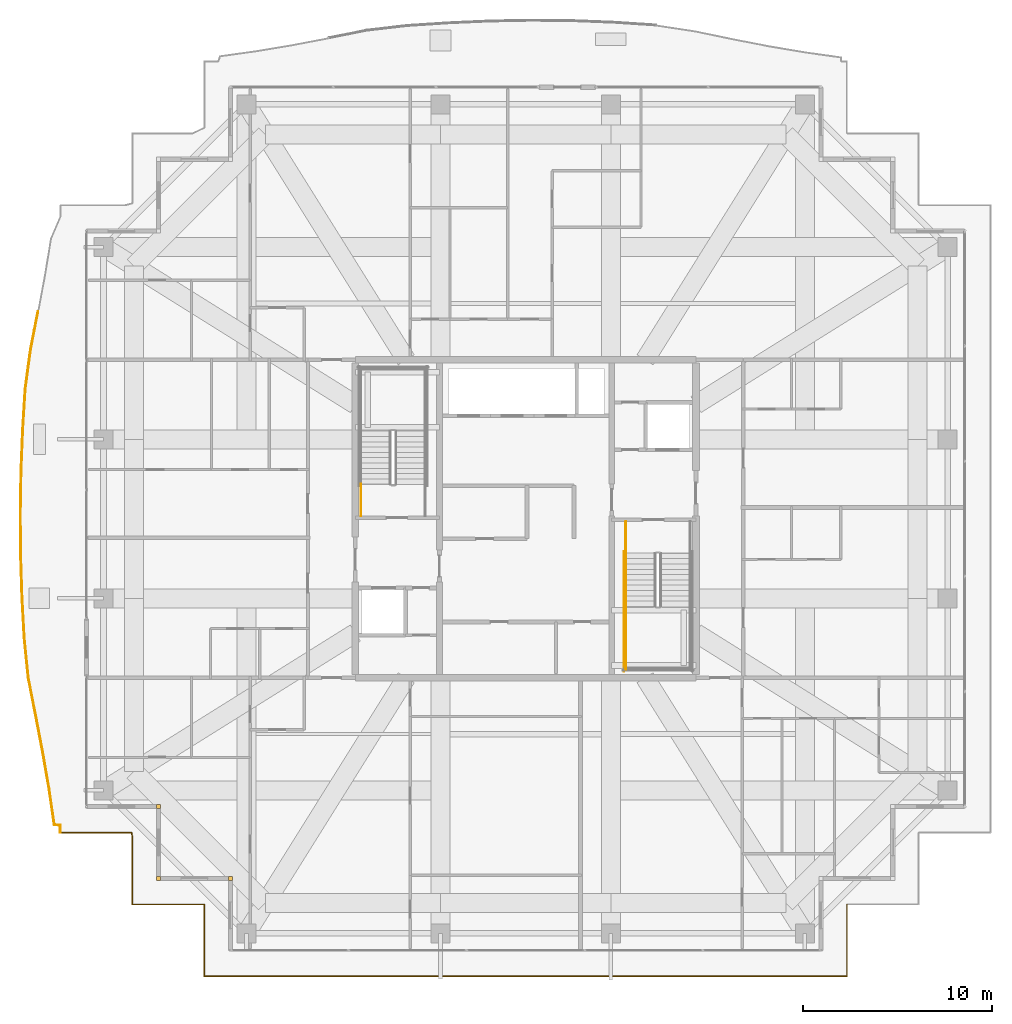
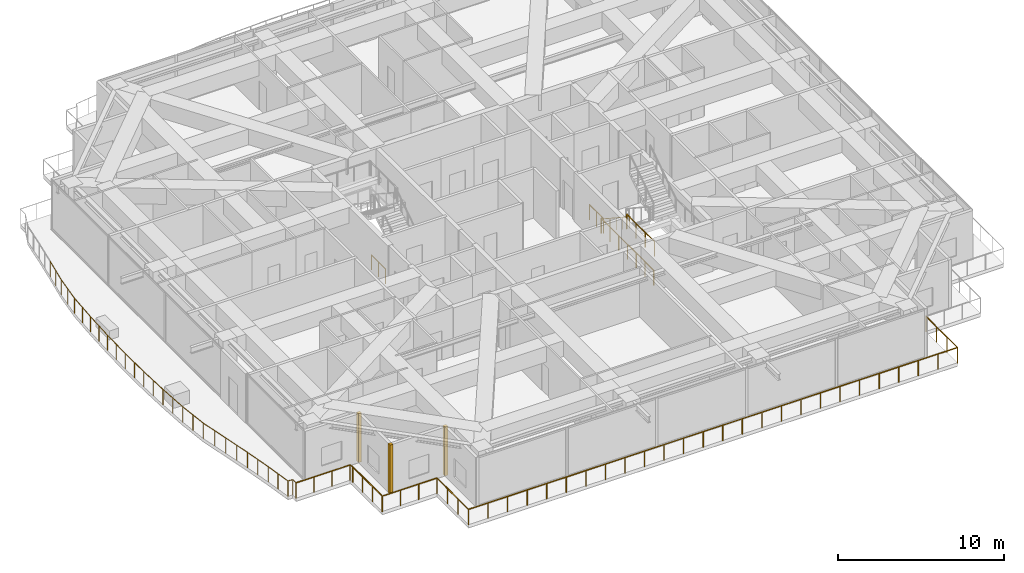
# One storey, part 36 of 40: 8 railings, 3 coverings.
"""IFC4 building model written with IfcOpenShell, lengths in metres."""

from ifc_helpers import new_model, si_unit, direction, frame, origin, origin_2d, place, context, subcontext, project, spatial, rectangle, circle, extrude, source, transform, mapped, material, layer, layer_set, type_object, element, save


model = new_model("IFC4")

# Units and contexts
model_context = context("Model", 3, precision=1e-05, world=origin(), true_north=direction((0.0, 1.0)))
body_context = subcontext(model_context, "Body", "Model", "MODEL_VIEW")
ifc_project = project(units=[si_unit("LENGTHUNIT", "METRE"), si_unit("AREAUNIT", "SQUARE_METRE"), si_unit("VOLUMEUNIT", "CUBIC_METRE"), si_unit("PLANEANGLEUNIT", "RADIAN"), si_unit("MASSUNIT", "GRAM", prefix="KILO")], contexts=[model_context])

# Site, building, storey
site_placement = place(None, origin())
site = spatial("IfcSite", under=ifc_project, at=site_placement, CompositionType="ELEMENT")
building_placement = place(site_placement, origin())
building = spatial("IfcBuilding", under=site, at=building_placement, Name="Serunith Strait Residences", CompositionType="ELEMENT")
storey_placement = place(building_placement, frame((0.0, 0.0, 333.949951171875)))
storey = spatial("IfcBuildingStorey", under=building, at=storey_placement, Name="L83", CompositionType="ELEMENT", Elevation=333.949951171875)

# Railings
ifc_material_1 = material(Name="Stainless Steel & Laminated Glass Balustrade", Category="steel")
railing_type_1 = type_object("IfcRailingType", Name="RLG-BALC-1150", PredefinedType="BALUSTRADE", material=ifc_material_1)
railing_1_placement = place(storey_placement, frame((7.820068359375, 8.6201171875, -0.050048828125)))
element("IfcRailing", 1, at=railing_1_placement, inside=storey, type_object=railing_type_1, Name="L83 Swirling Balcony Perimeter Balustrade 1", PredefinedType="BALUSTRADE", context=body_context, shape_type="SweptSolid", body=[
    extrude(circle(Radius=0.02392578125, at=origin_2d()), frame((0.0, 0.001953125, 1.1259765625), z_axis=(0.0, 1.0, 0.0), x_axis=(-1.0, 0.0, 0.0)), (0.0, 0.0, 1.0), 0.386962890625),
    extrude(circle(Radius=0.02392578125, at=origin_2d()), frame((-0.001953125, 0.390869140625, 1.1259765625), z_axis=(-0.998221258223, 0.059618114963, 0.0), x_axis=(-0.059618114963, -0.998221258223, 0.0)), (0.0, 0.0, 1.0), 0.3154296875),
    extrude(circle(Radius=0.02392578125, at=origin_2d()), frame((-0.319091796875, 0.411865234375, 1.1259765625), z_axis=(-0.144322456602, 0.989530711257, 0.0), x_axis=(-0.989530711257, -0.144322456602, 0.0)), (0.0, 0.0, 1.0), 1.916015625),
    extrude(circle(Radius=0.02392578125, at=origin_2d()), frame((-0.59619140625, 2.311767578125, 1.1259765625), z_axis=(-0.169802003916, 0.985478198372, 0.0), x_axis=(-0.985478198372, -0.169802003916, 0.0)), (0.0, 0.0, 1.0), 1.944091796875),
    extrude(circle(Radius=0.02392578125, at=origin_2d()), frame((-0.92724609375, 4.231689453125, 1.1259765625), z_axis=(-0.187979213047, 0.98217300689, 0.0), x_axis=(-0.98217300689, -0.187979213047, 0.0)), (0.0, 0.0, 1.0), 1.98828125),
    extrude(circle(Radius=0.02392578125, at=origin_2d()), frame((-1.3017578125, 6.1884765625, 1.1259765625), z_axis=(-0.192382990463, 0.981319919792, 0.0), x_axis=(-0.981319919792, -0.192382990463, 0.0)), (0.0, 0.0, 1.0), 2.046875),
    extrude(circle(Radius=0.02392578125, at=origin_2d()), frame((-1.696044921875, 8.200927734375, 1.1259765625), z_axis=(-0.09990071868, 0.994997410251, 0.0), x_axis=(-0.994997410251, -0.09990071868, 0.0)), (0.0, 0.0, 1.0), 2.126953125),
    extrude(circle(Radius=0.02392578125, at=origin_2d()), frame((-1.90869140625, 10.3212890625, 1.1259765625), z_axis=(-0.054032775026, 0.998539162589, 0.0), x_axis=(-0.998539162589, -0.054032775026, 0.0)), (0.0, 0.0, 1.0), 2.16943359375),
    extrude(circle(Radius=0.02099609375, at=origin_2d()), origin(), (0.0, 0.0, 1.0), 1.099853515625),
    extrude(circle(Radius=0.02099609375, at=origin_2d()), frame((0.0, 0.390869140625, 0.0)), (0.0, 0.0, 1.0), 1.099853515625),
    extrude(circle(Radius=0.02099609375, at=origin_2d()), frame((-0.31884765625, 0.409912109375, 0.0)), (0.0, 0.0, 1.0), 1.099853515625),
    extrude(circle(Radius=0.02099609375, at=origin_2d()), frame((-0.45751953125, 1.35986328125, 0.0)), (0.0, 0.0, 1.0), 1.099853515625),
    extrude(circle(Radius=0.02099609375, at=origin_2d()), frame((-0.595947265625, 2.309814453125, 0.0)), (0.0, 0.0, 1.0), 1.099853515625),
    extrude(circle(Radius=0.02099609375, at=origin_2d()), frame((-0.76123046875, 3.269775390625, 0.0)), (0.0, 0.0, 1.0), 1.099853515625),
    extrude(circle(Radius=0.02099609375, at=origin_2d()), frame((-0.9267578125, 4.229736328125, 0.0)), (0.0, 0.0, 1.0), 1.099853515625),
    extrude(circle(Radius=0.02099609375, at=origin_2d()), frame((-1.114013671875, 5.2080078125, 0.0)), (0.0, 0.0, 1.0), 1.099853515625),
    extrude(circle(Radius=0.02099609375, at=origin_2d()), frame((-1.30126953125, 6.1865234375, 0.0)), (0.0, 0.0, 1.0), 1.099853515625),
    extrude(circle(Radius=0.02099609375, at=origin_2d()), frame((-1.49853515625, 7.19287109375, 0.0)), (0.0, 0.0, 1.0), 1.099853515625),
    extrude(circle(Radius=0.02099609375, at=origin_2d()), frame((-1.69580078125, 8.198974609375, 0.0)), (0.0, 0.0, 1.0), 1.099853515625),
    extrude(circle(Radius=0.02099609375, at=origin_2d()), frame((-1.80224609375, 9.25927734375, 0.0)), (0.0, 0.0, 1.0), 1.099853515625),
    extrude(circle(Radius=0.02099609375, at=origin_2d()), frame((-1.90869140625, 10.3193359375, 0.0)), (0.0, 0.0, 1.0), 1.099853515625),
    extrude(circle(Radius=0.02099609375, at=origin_2d()), frame((-1.96728515625, 11.404296875, 0.0)), (0.0, 0.0, 1.0), 1.099853515625),
    extrude(circle(Radius=0.02099609375, at=origin_2d()), frame((-2.026123046875, 12.489501953125, 0.0)), (0.0, 0.0, 1.0), 1.099853515625),
])
railing_2_placement = place(storey_placement, frame((5.7939453125, 21.109619140625, -0.050048828125)))
element("IfcRailing", 2, at=railing_2_placement, inside=storey, type_object=railing_type_1, Name="L83 Swirling Balcony Perimeter Balustrade 2", PredefinedType="BALUSTRADE", context=body_context, shape_type="SweptSolid", body=[
    extrude(circle(Radius=0.02392578125, at=origin_2d()), frame((0.0, 0.001953125, 1.1259765625), z_axis=(-0.031488329717, 0.999504119597, 0.0), x_axis=(-0.999504119597, -0.031488329717, 0.0)), (0.0, 0.0, 1.0), 2.190185546875),
    extrude(circle(Radius=0.02392578125, at=origin_2d()), frame((-0.069091796875, 2.195068359375, 1.1259765625), z_axis=(-0.007421151419, 0.999972462877, 0.0), x_axis=(-0.999972462877, -0.007421151419, 0.0)), (0.0, 0.0, 1.0), 2.2001953125),
    extrude(circle(Radius=0.02392578125, at=origin_2d()), frame((-0.08544921875, 4.399169921875, 1.1259765625), z_axis=(0.016631099363, 0.999861693703, 0.0), x_axis=(-0.999861693703, 0.016631099363, 0.0)), (0.0, 0.0, 1.0), 2.197998046875),
    extrude(circle(Radius=0.02392578125, at=origin_2d()), frame((-0.048828125, 6.600830078125, 1.1259765625), z_axis=(0.03971409467, 0.999211084148, 0.0), x_axis=(-0.999211084148, 0.03971409467, 0.0)), (0.0, 0.0, 1.0), 2.1845703125),
    extrude(circle(Radius=0.02392578125, at=origin_2d()), frame((0.0380859375, 8.78759765625, 1.1259765625), z_axis=(0.060672112725, 0.998157750427, 0.0), x_axis=(-0.998157750427, 0.060672112725, 0.0)), (0.0, 0.0, 1.0), 2.160888671875),
    extrude(circle(Radius=0.02392578125, at=origin_2d()), frame((0.169677734375, 10.948486328125, 1.1259765625), z_axis=(0.133742555273, 0.991016109309, 0.0), x_axis=(-0.991016109309, 0.133742555273, 0.0)), (0.0, 0.0, 1.0), 2.1025390625),
    extrude(circle(Radius=0.02392578125, at=origin_2d()), frame((0.45166015625, 13.0361328125, 1.1259765625), z_axis=(0.191541396562, 0.981484535488, 0.0), x_axis=(-0.981484535488, 0.191541396562, 0.0)), (0.0, 0.0, 1.0), 2.029052734375),
    extrude(circle(Radius=0.02099609375, at=origin_2d()), origin(), (0.0, 0.0, 1.0), 1.099853515625),
    extrude(circle(Radius=0.02099609375, at=origin_2d()), frame((-0.03466796875, 1.0966796875, 0.0)), (0.0, 0.0, 1.0), 1.099853515625),
    extrude(circle(Radius=0.02099609375, at=origin_2d()), frame((-0.069091796875, 2.193115234375, 0.0)), (0.0, 0.0, 1.0), 1.099853515625),
    extrude(circle(Radius=0.02099609375, at=origin_2d()), frame((-0.0771484375, 3.295166015625, 0.0)), (0.0, 0.0, 1.0), 1.099853515625),
    extrude(circle(Radius=0.02099609375, at=origin_2d()), frame((-0.08544921875, 4.397216796875, 0.0)), (0.0, 0.0, 1.0), 1.099853515625),
    extrude(circle(Radius=0.02099609375, at=origin_2d()), frame((-0.067138671875, 5.498046875, 0.0)), (0.0, 0.0, 1.0), 1.099853515625),
    extrude(circle(Radius=0.02099609375, at=origin_2d()), frame((-0.048828125, 6.598876953125, 0.0)), (0.0, 0.0, 1.0), 1.099853515625),
    extrude(circle(Radius=0.02099609375, at=origin_2d()), frame((-0.00537109375, 7.6923828125, 0.0)), (0.0, 0.0, 1.0), 1.099853515625),
    extrude(circle(Radius=0.02099609375, at=origin_2d()), frame((0.0380859375, 8.78564453125, 0.0)), (0.0, 0.0, 1.0), 1.099853515625),
    extrude(circle(Radius=0.02099609375, at=origin_2d()), frame((0.103759765625, 9.8662109375, 0.0)), (0.0, 0.0, 1.0), 1.099853515625),
    extrude(circle(Radius=0.02099609375, at=origin_2d()), frame((0.16943359375, 10.946533203125, 0.0)), (0.0, 0.0, 1.0), 1.099853515625),
    extrude(circle(Radius=0.02099609375, at=origin_2d()), frame((0.310302734375, 11.990234375, 0.0)), (0.0, 0.0, 1.0), 1.099853515625),
    extrude(circle(Radius=0.02099609375, at=origin_2d()), frame((0.451171875, 13.0341796875, 0.0)), (0.0, 0.0, 1.0), 1.099853515625),
    extrude(circle(Radius=0.02099609375, at=origin_2d()), frame((0.64599609375, 14.03173828125, 0.0)), (0.0, 0.0, 1.0), 1.099853515625),
    extrude(circle(Radius=0.02099609375, at=origin_2d()), frame((0.840576171875, 15.029541015625, 0.0)), (0.0, 0.0, 1.0), 1.099853515625),
])
railing_3_placement = place(storey_placement, frame((49.392578125, 4.820068359375, -0.050048828125)))
element("IfcRailing", 3, at=railing_3_placement, inside=storey, type_object=railing_type_1, Name="L83 Swirling Balcony Perimeter Balustrade 8", PredefinedType="BALUSTRADE", context=body_context, shape_type="SweptSolid", body=[
    extrude(circle(Radius=0.02392578125, at=origin_2d()), frame((-0.0126953125, -0.0068359375, 1.1259765625), z_axis=(0.0, -1.0, 0.0), x_axis=(1.0, 0.0, 0.0)), (0.0, 0.0, 1.0), 3.791259765625),
    extrude(circle(Radius=0.02392578125, at=origin_2d()), frame((-0.0146484375, -3.800048828125, 1.1259765625), z_axis=(-1.0, 0.0, 0.0), x_axis=(0.0, -1.0, 0.0)), (0.0, 0.0, 1.0), 33.9560546875),
    extrude(circle(Radius=0.02392578125, at=origin_2d()), frame((-33.97265625, -3.798095703125, 1.1259765625), z_axis=(0.0, 1.0, 0.0), x_axis=(-1.0, 0.0, 0.0)), (0.0, 0.0, 1.0), 3.796142578125),
    extrude(circle(Radius=0.02392578125, at=origin_2d()), frame((-33.974609375, 0.0, 1.1259765625), z_axis=(-1.0, 0.0, 0.0), x_axis=(0.0, -1.0, 0.0)), (0.0, 0.0, 1.0), 3.7958984375),
    extrude(circle(Radius=0.02392578125, at=origin_2d()), frame((-37.7724609375, 0.001953125, 1.1259765625), z_axis=(0.0, 1.0, 0.0), x_axis=(-1.0, 0.0, 0.0)), (0.0, 0.0, 1.0), 3.5419921875),
    extrude(circle(Radius=0.02392578125, at=origin_2d()), frame((-37.772705078125, 3.5478515625, 1.1259765625), z_axis=(-0.152841841148, 0.988250662329, 0.0), x_axis=(-0.988250662329, -0.152841841148, 0.0)), (0.0, 0.0, 1.0), 0.253173828125),
    extrude(circle(Radius=0.02392578125, at=origin_2d()), frame((-37.813720703125, 3.800048828125, 1.1259765625), z_axis=(-1.0, 0.0, 0.0), x_axis=(0.0, -1.0, 0.0)), (0.0, 0.0, 1.0), 3.7568359375),
    extrude(circle(Radius=0.02099609375, at=origin_2d()), frame((-0.0126953125, -0.0048828125, 0.0)), (0.0, 0.0, 1.0), 1.099853515625),
    extrude(circle(Radius=0.02099609375, at=origin_2d()), frame((-0.0126953125, -1.27001953125, 0.0)), (0.0, 0.0, 1.0), 1.099853515625),
    extrude(circle(Radius=0.02099609375, at=origin_2d()), frame((-0.0126953125, -2.534912109375, 0.0)), (0.0, 0.0, 1.0), 1.099853515625),
    extrude(circle(Radius=0.02099609375, at=origin_2d()), frame((-0.0126953125, -3.800048828125, 0.0)), (0.0, 0.0, 1.0), 1.099853515625),
    extrude(circle(Radius=0.02099609375, at=origin_2d()), frame((-1.37109375, -3.800048828125, 0.0)), (0.0, 0.0, 1.0), 1.099853515625),
    extrude(circle(Radius=0.02099609375, at=origin_2d()), frame((-2.7294921875, -3.800048828125, 0.0)), (0.0, 0.0, 1.0), 1.099853515625),
    extrude(circle(Radius=0.02099609375, at=origin_2d()), frame((-4.087890625, -3.800048828125, 0.0)), (0.0, 0.0, 1.0), 1.099853515625),
    extrude(circle(Radius=0.02099609375, at=origin_2d()), frame((-5.4462890625, -3.800048828125, 0.0)), (0.0, 0.0, 1.0), 1.099853515625),
    extrude(circle(Radius=0.02099609375, at=origin_2d()), frame((-6.8046875, -3.800048828125, 0.0)), (0.0, 0.0, 1.0), 1.099853515625),
    extrude(circle(Radius=0.02099609375, at=origin_2d()), frame((-8.1630859375, -3.800048828125, 0.0)), (0.0, 0.0, 1.0), 1.099853515625),
    extrude(circle(Radius=0.02099609375, at=origin_2d()), frame((-9.521484375, -3.800048828125, 0.0)), (0.0, 0.0, 1.0), 1.099853515625),
    extrude(circle(Radius=0.02099609375, at=origin_2d()), frame((-10.8798828125, -3.800048828125, 0.0)), (0.0, 0.0, 1.0), 1.099853515625),
    extrude(circle(Radius=0.02099609375, at=origin_2d()), frame((-12.23828125, -3.800048828125, 0.0)), (0.0, 0.0, 1.0), 1.099853515625),
    extrude(circle(Radius=0.02099609375, at=origin_2d()), frame((-13.5966796875, -3.800048828125, 0.0)), (0.0, 0.0, 1.0), 1.099853515625),
    extrude(circle(Radius=0.02099609375, at=origin_2d()), frame((-14.955078125, -3.800048828125, 0.0)), (0.0, 0.0, 1.0), 1.099853515625),
    extrude(circle(Radius=0.02099609375, at=origin_2d()), frame((-16.3134765625, -3.800048828125, 0.0)), (0.0, 0.0, 1.0), 1.099853515625),
    extrude(circle(Radius=0.02099609375, at=origin_2d()), frame((-17.671875, -3.800048828125, 0.0)), (0.0, 0.0, 1.0), 1.099853515625),
    extrude(circle(Radius=0.02099609375, at=origin_2d()), frame((-19.0302734375, -3.800048828125, 0.0)), (0.0, 0.0, 1.0), 1.099853515625),
    extrude(circle(Radius=0.02099609375, at=origin_2d()), frame((-20.388671875, -3.800048828125, 0.0)), (0.0, 0.0, 1.0), 1.099853515625),
    extrude(circle(Radius=0.02099609375, at=origin_2d()), frame((-21.7470703125, -3.800048828125, 0.0)), (0.0, 0.0, 1.0), 1.099853515625),
    extrude(circle(Radius=0.02099609375, at=origin_2d()), frame((-23.10546875, -3.800048828125, 0.0)), (0.0, 0.0, 1.0), 1.099853515625),
    extrude(circle(Radius=0.02099609375, at=origin_2d()), frame((-24.4638671875, -3.800048828125, 0.0)), (0.0, 0.0, 1.0), 1.099853515625),
    extrude(circle(Radius=0.02099609375, at=origin_2d()), frame((-25.822265625, -3.800048828125, 0.0)), (0.0, 0.0, 1.0), 1.099853515625),
    extrude(circle(Radius=0.02099609375, at=origin_2d()), frame((-27.1806640625, -3.800048828125, 0.0)), (0.0, 0.0, 1.0), 1.099853515625),
    extrude(circle(Radius=0.02099609375, at=origin_2d()), frame((-28.5390625, -3.800048828125, 0.0)), (0.0, 0.0, 1.0), 1.099853515625),
    extrude(circle(Radius=0.02099609375, at=origin_2d()), frame((-29.8974609375, -3.800048828125, 0.0)), (0.0, 0.0, 1.0), 1.099853515625),
    extrude(circle(Radius=0.02099609375, at=origin_2d()), frame((-31.255859375, -3.800048828125, 0.0)), (0.0, 0.0, 1.0), 1.099853515625),
    extrude(circle(Radius=0.02099609375, at=origin_2d()), frame((-32.6142578125, -3.800048828125, 0.0)), (0.0, 0.0, 1.0), 1.099853515625),
    extrude(circle(Radius=0.02099609375, at=origin_2d()), frame((-33.97265625, -3.800048828125, 0.0)), (0.0, 0.0, 1.0), 1.099853515625),
    extrude(circle(Radius=0.02099609375, at=origin_2d()), frame((-33.97265625, -2.533447265625, 0.0)), (0.0, 0.0, 1.0), 1.099853515625),
    extrude(circle(Radius=0.02099609375, at=origin_2d()), frame((-33.97265625, -1.2666015625, 0.0)), (0.0, 0.0, 1.0), 1.099853515625),
    extrude(circle(Radius=0.02099609375, at=origin_2d()), frame((-33.97265625, 0.0, 0.0)), (0.0, 0.0, 1.0), 1.099853515625),
    extrude(circle(Radius=0.02099609375, at=origin_2d()), frame((-35.2392578125, 0.0, 0.0)), (0.0, 0.0, 1.0), 1.099853515625),
    extrude(circle(Radius=0.02099609375, at=origin_2d()), frame((-36.505859375, 0.0, 0.0)), (0.0, 0.0, 1.0), 1.099853515625),
    extrude(circle(Radius=0.02099609375, at=origin_2d()), frame((-37.7724609375, 0.0, 0.0)), (0.0, 0.0, 1.0), 1.099853515625),
    extrude(circle(Radius=0.02099609375, at=origin_2d()), frame((-37.7724609375, 1.181884765625, 0.0)), (0.0, 0.0, 1.0), 1.099853515625),
    extrude(circle(Radius=0.02099609375, at=origin_2d()), frame((-37.7724609375, 2.364013671875, 0.0)), (0.0, 0.0, 1.0), 1.099853515625),
    extrude(circle(Radius=0.02099609375, at=origin_2d()), frame((-37.7724609375, 3.5458984375, 0.0)), (0.0, 0.0, 1.0), 1.099853515625),
    extrude(circle(Radius=0.02099609375, at=origin_2d()), frame((-37.811767578125, 3.800048828125, 0.0)), (0.0, 0.0, 1.0), 1.099853515625),
    extrude(circle(Radius=0.02099609375, at=origin_2d()), frame((-39.0654296875, 3.800048828125, 0.0)), (0.0, 0.0, 1.0), 1.099853515625),
    extrude(circle(Radius=0.02099609375, at=origin_2d()), frame((-40.31884765625, 3.800048828125, 0.0)), (0.0, 0.0, 1.0), 1.099853515625),
    extrude(circle(Radius=0.02099609375, at=origin_2d()), frame((-41.572509765625, 3.800048828125, 0.0)), (0.0, 0.0, 1.0), 1.099853515625),
])
ifc_material_2 = material(Name="Brushed stainless steel 316L", Category="steel")
railing_type_2 = type_object("IfcRailingType", Name="RLG-STAIR-GUARD", PredefinedType="BALUSTRADE", material=ifc_material_2)
railing_4_placement = place(storey_placement, frame((23.699951171875, 25.35009765625, 0.0)))
element("IfcRailing", 4, at=railing_4_placement, inside=storey, type_object=railing_type_2, Name="L83 ST-1 stair guard 9", PredefinedType="BALUSTRADE", context=body_context, shape_type="SweptSolid", body=[
    extrude(circle(Radius=0.02392578125, at=origin_2d()), frame((0.0, 0.001953125, 1.076171875), z_axis=(0.0, 1.0, 0.0), x_axis=(-1.0, 0.0, 0.0)), (0.0, 0.0, 1.0), 1.676025390625),
    extrude(circle(Radius=0.02099609375, at=origin_2d()), origin(), (0.0, 0.0, 1.0), 1.050048828125),
    extrude(circle(Radius=0.02099609375, at=origin_2d()), frame((0.0, 0.83984375, 0.0)), (0.0, 0.0, 1.0), 1.050048828125),
    extrude(circle(Radius=0.02099609375, at=origin_2d()), frame((0.0, 1.679931640625, 0.0)), (0.0, 0.0, 1.0), 1.050048828125),
])
railing_5_placement = place(storey_placement, frame((37.699951171875, 20.570068359375, 2.025146484375)))
element("IfcRailing", 5, at=railing_5_placement, inside=storey, type_object=railing_type_2, Name="L83 ST-2 stair guard 3", PredefinedType="BALUSTRADE", context=body_context, shape_type="SweptSolid", body=[
    extrude(circle(Radius=0.02392578125, at=origin_2d()), frame((0.0, -0.001953125, 1.076171875), z_axis=(0.0, -1.0, 0.0), x_axis=(1.0, 0.0, 0.0)), (0.0, 0.0, 1.0), 3.316162109375),
    extrude(circle(Radius=0.02099609375, at=origin_2d()), origin(), (0.0, 0.0, 1.0), 1.050048828125),
    extrude(circle(Radius=0.02099609375, at=origin_2d()), frame((0.0, -1.106689453125, 0.0)), (0.0, 0.0, 1.0), 1.050048828125),
    extrude(circle(Radius=0.02099609375, at=origin_2d()), frame((0.0, -2.21337890625, 0.0)), (0.0, 0.0, 1.0), 1.050048828125),
    extrude(circle(Radius=0.02099609375, at=origin_2d()), frame((0.0, -3.320068359375, 0.0)), (0.0, 0.0, 1.0), 1.050048828125),
])
railing_6_placement = place(storey_placement, frame((37.699951171875, 25.050048828125, 0.0)))
element("IfcRailing", 6, at=railing_6_placement, inside=storey, type_object=railing_type_2, Name="L83 ST-2 stair guard 8", PredefinedType="BALUSTRADE", context=body_context, shape_type="SweptSolid", body=[
    extrude(circle(Radius=0.02392578125, at=origin_2d()), frame((0.0, -0.001953125, 1.076171875), z_axis=(0.0, -1.0, 0.0), x_axis=(1.0, 0.0, 0.0)), (0.0, 0.0, 1.0), 1.676025390625),
    extrude(circle(Radius=0.02099609375, at=origin_2d()), origin(), (0.0, 0.0, 1.0), 1.050048828125),
    extrude(circle(Radius=0.02099609375, at=origin_2d()), frame((0.0, -0.83984375, 0.0)), (0.0, 0.0, 1.0), 1.050048828125),
    extrude(circle(Radius=0.02099609375, at=origin_2d()), frame((0.0, -1.679931640625, 0.0)), (0.0, 0.0, 1.0), 1.050048828125),
])
railing_7_placement = place(storey_placement, frame((37.60009765625, 23.469970703125, 0.0)))
element("IfcRailing", 7, at=railing_7_placement, inside=storey, type_object=railing_type_2, Name="L83 ST-2 stair guard 10", PredefinedType="BALUSTRADE", context=body_context, shape_type="SweptSolid", body=[
    extrude(circle(Radius=0.02392578125, at=origin_2d()), frame((0.0, -0.001953125, 1.076171875), z_axis=(0.0, -1.0, 0.0), x_axis=(1.0, 0.0, 0.0)), (0.0, 0.0, 1.0), 6.316162109375),
    extrude(circle(Radius=0.02099609375, at=origin_2d()), origin(), (0.0, 0.0, 1.0), 1.050048828125),
    extrude(circle(Radius=0.02099609375, at=origin_2d()), frame((0.0, -1.05322265625, 0.0)), (0.0, 0.0, 1.0), 1.050048828125),
    extrude(circle(Radius=0.02099609375, at=origin_2d()), frame((0.0, -2.106689453125, 0.0)), (0.0, 0.0, 1.0), 1.050048828125),
    extrude(circle(Radius=0.02099609375, at=origin_2d()), frame((0.0, -3.16015625, 0.0)), (0.0, 0.0, 1.0), 1.050048828125),
    extrude(circle(Radius=0.02099609375, at=origin_2d()), frame((0.0, -4.21337890625, 0.0)), (0.0, 0.0, 1.0), 1.050048828125),
    extrude(circle(Radius=0.02099609375, at=origin_2d()), frame((0.0, -5.2666015625, 0.0)), (0.0, 0.0, 1.0), 1.050048828125),
    extrude(circle(Radius=0.02099609375, at=origin_2d()), frame((0.0, -6.320068359375, 0.0)), (0.0, 0.0, 1.0), 1.050048828125),
])
railing_type_3 = type_object("IfcRailingType", Name="RLG-STAIR-HR", PredefinedType="HANDRAIL", material=ifc_material_2)
railing_8_placement = place(storey_placement, frame((37.699951171875, 23.3701171875, 0.18408203125)))
element("IfcRailing", 8, at=railing_8_placement, inside=storey, type_object=railing_type_3, Name="L83 ST-2 stair handrail 1", PredefinedType="HANDRAIL", context=body_context, shape_type="SweptSolid", body=[
    extrude(circle(Radius=0.02392578125, at=origin_2d()), frame((0.0, -0.001708984375, 0.876953125), z_axis=(0.0, -0.83496096917, 0.550309167616), x_axis=(1.0, 0.0, 0.0)), (0.0, 0.0, 1.0), 3.684814453125),
    extrude(circle(Radius=0.02099609375, at=origin_2d()), origin(), (0.0, 0.0, 1.0), 0.849853515625),
    extrude(circle(Radius=0.02099609375, at=origin_2d()), frame((0.0, -0.77001953125, 0.507568359375)), (0.0, 0.0, 1.0), 0.849853515625),
    extrude(circle(Radius=0.02099609375, at=origin_2d()), frame((0.0, -1.5400390625, 1.01513671875)), (0.0, 0.0, 1.0), 0.849853515625),
    extrude(circle(Radius=0.02099609375, at=origin_2d()), frame((0.0, -2.31005859375, 1.5224609375)), (0.0, 0.0, 1.0), 0.849853515625),
    extrude(circle(Radius=0.02099609375, at=origin_2d()), frame((0.0, -3.080078125, 2.030029296875)), (0.0, 0.0, 1.0), 0.849853515625),
])

# Coverings
ifc_material_3 = material(Name="Pale-Champagne Anodised Aluminium", Category="aluminium")
ifc_layer = layer(ifc_material_3, 0.219970703125, Name="Pale-Champagne Anodised Aluminium")
ifc_layer_set = layer_set([ifc_layer], Name="Pale-Champagne Anodised Aluminium")
covering_type = type_object("IfcCoveringType", Name="COV-CORN-TRIM", PredefinedType="CLADDING", material=ifc_layer_set)
shared_shape = source(origin(), body_context, "Body", "SweptSolid", [
    extrude(rectangle(XDim=0.221923828125, YDim=0.221923828125, at=origin_2d()), origin(), (0.0, 0.0, 1.0), 3.594970703125),
])
for number, where, z_axis, x_axis, name in (
    (9, (13.0, 10.0, 0.0), (0.0, 0.0, 1.0), (1.0, 0.0, 0.0), "L83 Girih Serrated Corner Trim Post 17"),
    (10, (13.0, 6.199951171875, 0.0), (0.0, 0.0, 1.0), (1.0, 0.0, 0.0), "L83 Girih Serrated Corner Trim Post 18"),
    (11, (16.800048828125, 6.199951171875, 0.0), (0.0, 0.0, 1.0), (1.0, 0.0, 0.0), "L83 Girih Serrated Corner Trim Post 19"),
):
    element("IfcCovering", number, at=place(storey_placement, frame(where, z_axis=z_axis, x_axis=x_axis)), inside=storey, type_object=covering_type, Name=name, PredefinedType="CLADDING", context=body_context, shape_type="MappedRepresentation", body=[
        mapped(shared_shape, transform((0.0, 0.0, 0.0), scale=1.0)),
    ])

save(model, "model.ifc")
